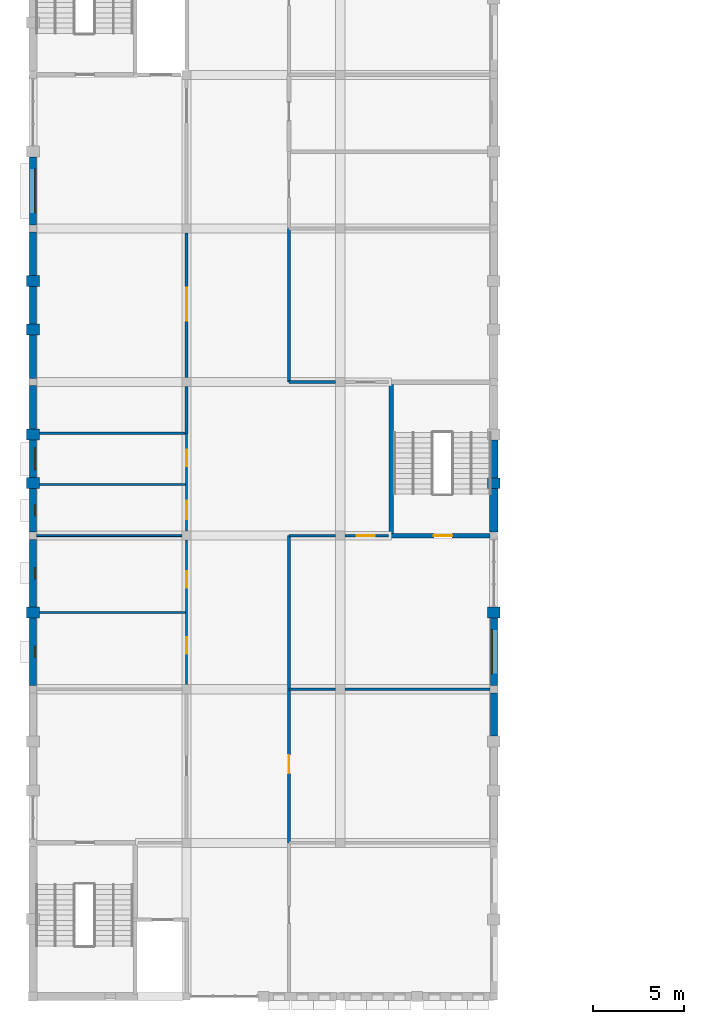
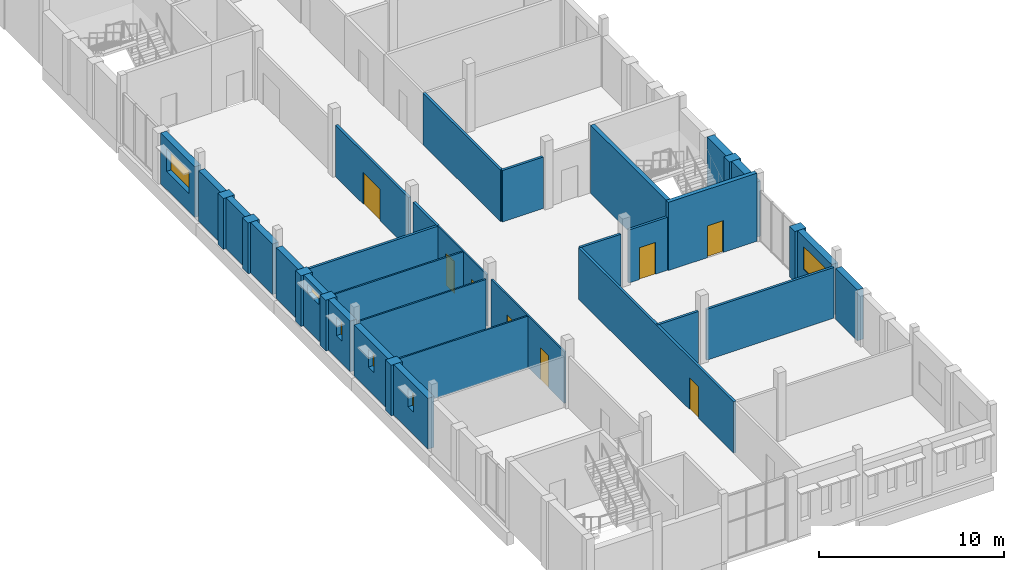
# One storey, part 24 of 38: 37 walls, 8 doors, 6 windows, 14 openings.
"""IFC4 building model written with IfcOpenShell, lengths in metres."""

import ifcopenshell
import ifcopenshell.guid

model = None  # the IFC model being written
_history = None  # IfcOwnerHistory: only IFC2X3 demands one
_inside = {}  # id of a spatial element -> (the spatial element, [elements in it])
_under = {}  # id of a project, library or spatial element -> (it, [spatial elements below it])
_declared = {}  # id of a project -> (the project, [libraries it declares])
_typed = {}  # id of a type object -> (the type object, [elements of that type])
_made_of = {}  # id of a material, layer set ... -> (it, [elements and type objects made of it])


def new_model(schema):
    """Start an empty IFC model of exactly this schema.

    Asked for "IFC4X3", IfcOpenShell would pick the latest addendum, in which some entities
    have other attributes; the version numbers below select the first issue.
    IFC2X3 requires an IfcOwnerHistory on every rooted entity: one is made here for all.
    """
    global model, _history
    if schema == "IFC4X3":
        model = ifcopenshell.file(schema_version=(4, 3, 0, 0))
    else:
        model = ifcopenshell.file(schema=schema)
    _inside.clear()
    _under.clear()
    _declared.clear()
    _typed.clear()
    _made_of.clear()
    _history = None
    if model.schema == "IFC2X3":
        org = make("IfcOrganization", Name="unknown")
        user = make(
            "IfcPersonAndOrganization",
            ThePerson=make("IfcPerson", FamilyName="unknown"),
            TheOrganization=org,
        )
        app = make(
            "IfcApplication",
            ApplicationDeveloper=org,
            Version="unknown",
            ApplicationFullName="unknown",
            ApplicationIdentifier="unknown",
        )
        _history = make(
            "IfcOwnerHistory",
            OwningUser=user,
            OwningApplication=app,
            ChangeAction="ADDED",
            CreationDate=0,
        )
    return model


def make(cls, **values):
    """One entity of the class cls with the attributes given. An attribute that is None is left unset."""
    return model.create_entity(
        cls, **{name: value for name, value in values.items() if value is not None}
    )


def rooted(cls, **values):
    """An entity with a GlobalId (a new one), such as an element, a storey or a relation."""
    return make(cls, GlobalId=ifcopenshell.guid.new(), OwnerHistory=_history, **values)


def si_unit(unit_type, name, prefix=None):
    """IfcSIUnit, for example si_unit("LENGTHUNIT", "METRE", prefix="MILLI")."""
    return make("IfcSIUnit", UnitType=unit_type, Prefix=prefix, Name=name)


def assignment(units):
    """IfcUnitAssignment: the units of a project."""
    return None if units is None else make("IfcUnitAssignment", Units=units)


def point(xyz):
    """IfcCartesianPoint."""
    return None if xyz is None else make("IfcCartesianPoint", Coordinates=xyz)


def direction(xyz):
    """IfcDirection."""
    return None if xyz is None else make("IfcDirection", DirectionRatios=xyz)


def frame(location, z_axis=None, x_axis=None):
    """IfcAxis2Placement3D, a coordinate frame: its origin and axes. An axis left out is left unset."""
    return make(
        "IfcAxis2Placement3D",
        Location=point(location),
        Axis=direction(z_axis),
        RefDirection=direction(x_axis),
    )


def frame_2d(location, x_axis=None):
    """IfcAxis2Placement2D, a coordinate frame in the plane: its origin and x axis."""
    return make(
        "IfcAxis2Placement2D", Location=point(location), RefDirection=direction(x_axis)
    )


def origin():
    """The frame at (0, 0, 0) with its axes left unset."""
    return frame((0.0, 0.0, 0.0))


def place(relative_to, where):
    """IfcLocalPlacement: puts the frame where relative to a parent placement (None: the world)."""
    return make(
        "IfcLocalPlacement", PlacementRelTo=relative_to, RelativePlacement=where
    )


def context(
    kind, dimensions, precision=None, world=None, true_north=None, identifier=None
):
    """IfcGeometricRepresentationContext, for example the 3D "Model" context."""
    return make(
        "IfcGeometricRepresentationContext",
        ContextIdentifier=identifier,
        ContextType=kind,
        CoordinateSpaceDimension=dimensions,
        Precision=precision,
        WorldCoordinateSystem=world,
        TrueNorth=true_north,
    )


def subcontext(parent, identifier, kind, view, scale=None):
    """IfcGeometricRepresentationSubContext, for example "Body" below "Model"."""
    return make(
        "IfcGeometricRepresentationSubContext",
        ContextIdentifier=identifier,
        ContextType=kind,
        ParentContext=parent,
        TargetScale=scale,
        TargetView=view,
    )


def project(units=None, contexts=None):
    """IfcProject with its units and contexts."""
    return rooted(
        "IfcProject",
        Name="project",
        RepresentationContexts=contexts,
        UnitsInContext=assignment(units),
    )


def spatial(cls, under=None, at=None, **own):
    """A site, building, storey or space (cls), placed at a placement, below another one or the project."""
    s = rooted(cls, ObjectPlacement=at, **own)
    if under is not None:
        _under.setdefault(under.id(), (under, []))[1].append(s)
    return s


def profile(cls, at=None, kind="AREA", **sizes):
    """A parametric profile (cls). Its sizes go by their IFC names, for example OverallWidth=200.0."""
    return make(cls, ProfileType=kind, Position=at, **sizes)


def rectangle(**sizes):
    """IfcRectangleProfileDef."""
    return profile("IfcRectangleProfileDef", **sizes)


def extrude(swept, where, along, depth):
    """IfcExtrudedAreaSolid: the profile swept, set in the frame where, extruded along a direction by depth."""
    return make(
        "IfcExtrudedAreaSolid",
        SweptArea=swept,
        Position=where,
        ExtrudedDirection=direction(along),
        Depth=depth,
    )


def shape(context_of_items, identifier, shape_type, items):
    """IfcShapeRepresentation: the items that make up one representation, for example the "Body"."""
    return make(
        "IfcShapeRepresentation",
        ContextOfItems=context_of_items,
        RepresentationIdentifier=identifier,
        RepresentationType=shape_type,
        Items=items,
    )


def material(Name=None, Category=None):
    """IfcMaterial."""
    return make("IfcMaterial", Name=Name, Category=Category)


def layer(
    of_material, thickness, ventilated=None, Name=None, Category=None, Priority=None
):
    """IfcMaterialLayer: one layer of a wall or slab, of a material (None: an air gap)."""
    return make(
        "IfcMaterialLayer",
        Material=of_material,
        LayerThickness=thickness,
        IsVentilated=ventilated,
        Name=Name,
        Category=Category,
        Priority=Priority,
    )


def layer_set(layers, Name=None):
    """IfcMaterialLayerSet."""
    return make("IfcMaterialLayerSet", MaterialLayers=layers, LayerSetName=Name)


def made_of(thing, what):
    """Note that an element or type object is made of a material, layer set ...; save() writes the relation."""
    if what is not None:
        _made_of.setdefault(what.id(), (what, []))[1].append(thing)
    return thing


def type_object(cls, material=None, **own):
    """A type object (cls), such as IfcWallType, which elements share."""
    return made_of(rooted(cls, **own), material)


def element(
    cls,
    number,
    at=None,
    inside=None,
    cuts=None,
    type_object=None,
    material=None,
    context=None,
    identifier="Body",
    shape_type=None,
    held_by="IfcProductDefinitionShape",
    body=None,
    shapes=None,
    **own,
):
    """One element of the class cls, such as IfcWall. Its Tag is "e" and its number.

    at: its placement. inside: the storey or other place that contains it. cuts: it is an
    opening in that element (IfcRelVoidsElement). A single representation is given by context,
    identifier, shape_type and body (its items); several are given by shapes. held_by: the class
    of the entity that holds the representations. save() writes the other relations.
    """
    e = rooted(cls, Tag="e%d" % number, ObjectPlacement=at, **own)
    if body is not None:
        shapes = [shape(context, identifier, shape_type, body)]
    if shapes is not None:
        e.Representation = make(held_by, Representations=shapes)
    if inside is not None:
        _inside.setdefault(inside.id(), (inside, []))[1].append(e)
    if cuts is not None:
        rooted(
            "IfcRelVoidsElement", RelatingBuildingElement=cuts, RelatedOpeningElement=e
        )
    if type_object is not None:
        _typed.setdefault(type_object.id(), (type_object, []))[1].append(e)
    return made_of(e, material)


def fill(opening, filler):
    """IfcRelFillsElement: the door or window that sits in an opening."""
    return rooted(
        "IfcRelFillsElement",
        RelatingOpeningElement=opening,
        RelatedBuildingElement=filler,
    )


def aggregate(whole, parts):
    """IfcRelAggregates: a whole, such as a stair, and the parts it consists of."""
    return rooted("IfcRelAggregates", RelatingObject=whole, RelatedObjects=parts)


def save(model, path):
    """Write the relations noted so far, then the file.

    IfcRelAggregates (storeys below a building ...), IfcRelContainedInSpatialStructure (elements
    in a storey), IfcRelDefinesByType, IfcRelAssociatesMaterial and IfcRelDeclares: one each for
    every whole, place, type object, material and project.
    """
    for whole, parts in _under.values():
        aggregate(whole, parts)
    for where, things in _inside.values():
        rooted(
            "IfcRelContainedInSpatialStructure",
            RelatedElements=things,
            RelatingStructure=where,
        )
    for kind, things in _typed.values():
        rooted("IfcRelDefinesByType", RelatedObjects=things, RelatingType=kind)
    for what, things in _made_of.values():
        rooted("IfcRelAssociatesMaterial", RelatedObjects=things, RelatingMaterial=what)
    for by, libraries in _declared.values():
        rooted("IfcRelDeclares", RelatingContext=by, RelatedDefinitions=libraries)
    model.write(path)


model = new_model("IFC4")

# Units and contexts
model_context = context("Model", 3, precision=1e-05, world=origin(), true_north=direction((0.0, 1.0)))
body_context = subcontext(model_context, "Body", "Model", "MODEL_VIEW")
ifc_project = project(units=[si_unit("LENGTHUNIT", "METRE"), si_unit("AREAUNIT", "SQUARE_METRE"), si_unit("VOLUMEUNIT", "CUBIC_METRE"), si_unit("PLANEANGLEUNIT", "RADIAN"), si_unit("MASSUNIT", "GRAM", prefix="KILO")], contexts=[model_context])

# Site, building, storey
site_placement = place(None, origin())
site = spatial("IfcSite", under=ifc_project, at=site_placement, CompositionType="ELEMENT")
building_placement = place(site_placement, origin())
building = spatial("IfcBuilding", under=site, at=building_placement, Name="Fescue Hill Polytechnic", CompositionType="ELEMENT")
storey_placement = place(building_placement, frame((0.0, 0.0, 18.0)))
storey = spatial("IfcBuildingStorey", under=building, at=storey_placement, Name="L04", CompositionType="ELEMENT", Elevation=18.0)

# Wall, opening, door
ifc_material_1 = material(Name="Concrete 40 MPa", Category="concrete")
ifc_layer_1 = layer(ifc_material_1, 0.25)
ifc_layer_set_1 = layer_set([ifc_layer_1], Name="Concrete 40 MPa")
wall_type_1 = type_object("IfcWallType", Name="Core wall 250", PredefinedType="SHEAR", material=ifc_layer_set_1)
wall_1_placement = place(storey_placement, frame((19.47509765625, 75.60009765625, 0.0), z_axis=(0.0, 0.0, 1.0), x_axis=(1.0, 0.0, 0.0)))
wall_1 = element("IfcWall", 1, at=wall_1_placement, inside=storey, type_object=wall_type_1, Name="CW-L04-ST-V4-3-11", PredefinedType="SHEAR", context=body_context, shape_type="SweptSolid", body=[
    extrude(rectangle(XDim=5.52490234375, YDim=0.25, at=frame_2d((2.762451171875, 0.0))), origin(), (0.0, 0.0, 1.0), 4.5),
])
opening_1_placement = place(wall_1_placement, frame((2.449951171875, 0.0, 0.0)))
opening_1 = element("IfcOpeningElement", 2, at=opening_1_placement, cuts=wall_1, Name="Opening D4038", PredefinedType="OPENING", context=body_context, shape_type="SweptSolid", body=[
    extrude(rectangle(XDim=1.0, YDim=2.10009765625, at=frame_2d((0.5, 1.050048828125))), frame((0.0, 0.135009765625, 0.0), z_axis=(0.0, -1.0, 0.0), x_axis=(1.0, 0.0, 0.0)), (0.0, 0.0, 1.0), 0.27001953125),
])
ifc_material_2 = material(Name="Steel fire door", Category="steel")
door_type_1 = type_object("IfcDoorType", Name="Door single swing 1000x2100 stair fire rated", OperationType="NOTDEFINED", PredefinedType="DOOR", material=ifc_material_2)
door_1_placement = place(opening_1_placement, origin())
door_1 = element("IfcDoor", 3, at=door_1_placement, inside=storey, type_object=door_type_1, Name="L04 ST-V4-3 stair door", OperationType="SINGLE_SWING_LEFT", OverallHeight=2.10009765625, OverallWidth=1.0, PredefinedType="DOOR", context=body_context, shape_type="SweptSolid", body=[
    extrude(rectangle(XDim=1.0, YDim=2.10009765625, at=frame_2d((0.5, 1.050048828125))), frame((0.0, 0.02490234375, 0.0), z_axis=(0.0, -1.0, 0.0), x_axis=(1.0, 0.0, 0.0)), (0.0, 0.0, 1.0), 0.050048828125),
])
fill(opening_1, door_1)

# Walls
wall_2_placement = place(storey_placement, frame((19.60009765625, 75.72509765625, 0.0), z_axis=(0.0, 0.0, 1.0), x_axis=(0.0, 1.0, 0.0)))
element("IfcWall", 4, at=wall_2_placement, inside=storey, type_object=wall_type_1, Name="CW-L04-ST-V4-3-31", PredefinedType="SHEAR", context=body_context, shape_type="SweptSolid", body=[
    extrude(rectangle(XDim=8.14990234375, YDim=0.25, at=frame_2d((4.074951171875, 0.0))), origin(), (0.0, 0.0, 1.0), 4.5),
])
ifc_layer_2 = layer(ifc_material_1, 0.449951171875)
ifc_layer_set_2 = layer_set([ifc_layer_2], Name="Concrete 40 MPa")
wall_type_2 = type_object("IfcWallType", Name="Exterior wall board-marked concrete 450 load-bearing", PredefinedType="SOLIDWALL", material=ifc_layer_set_2)
wall_3_placement = place(storey_placement, frame((25.199951171875, 75.800048828125, 0.0), z_axis=(0.0, 0.0, 1.0), x_axis=(0.0, 1.0, 0.0)))
element("IfcWall", 5, at=wall_3_placement, inside=storey, type_object=wall_type_2, Name="EW-L04-V4-8", PredefinedType="SOLIDWALL", context=body_context, shape_type="SweptSolid", body=[
    extrude(rectangle(XDim=2.36669921875, YDim=0.449951171875, at=frame_2d((1.183349609375, 0.0))), origin(), (0.0, 0.0, 1.0), 3.64990234375),
])
wall_4_placement = place(storey_placement, frame((25.199951171875, 78.7666015625, 0.0), z_axis=(0.0, 0.0, 1.0), x_axis=(0.0, 1.0, 0.0)))
element("IfcWall", 6, at=wall_4_placement, inside=storey, type_object=wall_type_2, Name="EW-L04-V4-9", PredefinedType="SOLIDWALL", context=body_context, shape_type="SweptSolid", body=[
    extrude(rectangle(XDim=2.066650390625, YDim=0.449951171875, at=frame_2d((1.033203125, 0.0))), origin(), (0.0, 0.0, 1.0), 3.64990234375),
])
ifc_material_3 = material(Name="Terracotta rainscreen on concrete block", Category="masonry")
ifc_layer_3 = layer(ifc_material_3, 0.3798828125)
ifc_layer_set_3 = layer_set([ifc_layer_3], Name="Terracotta rainscreen on concrete block")
wall_type_3 = type_object("IfcWallType", Name="Exterior wall rainscreen terracotta on blockwork 380", PredefinedType="SOLIDWALL", material=ifc_layer_set_3)
wall_5_placement = place(storey_placement, frame((25.199951171875, 64.63330078125, 0.0), z_axis=(0.0, 0.0, 1.0), x_axis=(0.0, 1.0, 0.0)))
element("IfcWall", 7, at=wall_5_placement, inside=storey, type_object=wall_type_3, Name="EW-L04-V4-5", PredefinedType="SOLIDWALL", context=body_context, shape_type="SweptSolid", body=[
    extrude(rectangle(XDim=2.36669921875, YDim=0.3798828125, at=frame_2d((1.183349609375, 0.0))), origin(), (0.0, 0.0, 1.0), 3.35009765625),
])

# Wall, opening, window
wall_6_placement = place(storey_placement, frame((25.199951171875, 67.39990234375, 0.0), z_axis=(0.0, 0.0, 1.0), x_axis=(0.0, 1.0, 0.0)))
wall_6 = element("IfcWall", 8, at=wall_6_placement, inside=storey, type_object=wall_type_3, Name="EW-L04-V4-6", PredefinedType="SOLIDWALL", context=body_context, shape_type="SweptSolid", body=[
    extrude(rectangle(XDim=3.7001953125, YDim=0.3798828125, at=frame_2d((1.85009765625, 0.0))), origin(), (0.0, 0.0, 1.0), 3.35009765625),
])
opening_2_placement = place(wall_6_placement, frame((0.64990234375, 0.0, 1.199951171875)))
opening_2 = element("IfcOpeningElement", 9, at=opening_2_placement, cuts=wall_6, Name="Opening W3", PredefinedType="OPENING", context=body_context, shape_type="SweptSolid", body=[
    extrude(rectangle(XDim=2.39990234375, YDim=1.5, at=frame_2d((1.199951171875, 0.75))), frame((0.0, 0.199951171875, 0.0), z_axis=(0.0, -1.0, 0.0), x_axis=(1.0, 0.0, 0.0)), (0.0, 0.0, 1.0), 0.39990234375),
])
ifc_material_4 = material(Name="Powder-coated aluminium and glass", Category="aluminium")
window_type_1 = type_object("IfcWindowType", Name="Window laboratory strip 2400x1500", PartitioningType="TRIPLE_PANEL_VERTICAL", PredefinedType="WINDOW", material=ifc_material_4)
window_1_placement = place(opening_2_placement, origin())
window_1 = element("IfcWindow", 10, at=window_1_placement, inside=storey, type_object=window_type_1, Name="WN-L04-V4-3", OverallHeight=1.5, OverallWidth=2.39990234375, PartitioningType="SINGLE_PANEL", PredefinedType="WINDOW", context=body_context, shape_type="SweptSolid", body=[
    extrude(rectangle(XDim=2.39990234375, YDim=1.5, at=frame_2d((1.199951171875, 0.75))), frame((0.0, 0.150146484375, 0.0), z_axis=(0.0, -1.0, 0.0), x_axis=(1.0, 0.0, 0.0)), (0.0, 0.0, 1.0), 0.06005859375),
])
fill(opening_2, window_1)

wall_7_placement = place(storey_placement, frame((0.0, 96.300048828125, 0.0), z_axis=(0.0, 0.0, 1.0), x_axis=(0.0, -1.0, 0.0)))
wall_7 = element("IfcWall", 11, at=wall_7_placement, inside=storey, type_object=wall_type_3, Name="EW-L04-V4-22", PredefinedType="SOLIDWALL", context=body_context, shape_type="SweptSolid", body=[
    extrude(rectangle(XDim=3.699951171875, YDim=0.3798828125, at=frame_2d((1.85009765625, 0.0))), origin(), (0.0, 0.0, 1.0), 3.35009765625),
])
opening_3_placement = place(wall_7_placement, frame((0.64990234375, 0.0, 1.199951171875)))
opening_3 = element("IfcOpeningElement", 12, at=opening_3_placement, cuts=wall_7, Name="Opening W3", PredefinedType="OPENING", context=body_context, shape_type="SweptSolid", body=[
    extrude(rectangle(XDim=2.39990234375, YDim=1.5, at=frame_2d((1.199951171875, 0.75))), frame((0.0, 0.199951171875, 0.0), z_axis=(0.0, -1.0, 0.0), x_axis=(1.0, 0.0, 0.0)), (0.0, 0.0, 1.0), 0.39990234375),
])
window_2_placement = place(opening_3_placement, origin())
window_2 = element("IfcWindow", 13, at=window_2_placement, inside=storey, type_object=window_type_1, Name="WN-L04-V4-8", OverallHeight=1.5, OverallWidth=2.39990234375, PartitioningType="SINGLE_PANEL", PredefinedType="WINDOW", context=body_context, shape_type="SweptSolid", body=[
    extrude(rectangle(XDim=2.39990234375, YDim=1.5, at=frame_2d((1.199951171875, 0.75))), frame((0.0, 0.150146484375, 0.0), z_axis=(0.0, -1.0, 0.0), x_axis=(1.0, 0.0, 0.0)), (0.0, 0.0, 1.0), 0.06005859375),
])
fill(opening_3, window_2)

# Walls
wall_8_placement = place(storey_placement, frame((0.0, 92.199951171875, 0.0), z_axis=(0.0, 0.0, 1.0), x_axis=(0.0, -1.0, 0.0)))
element("IfcWall", 14, at=wall_8_placement, inside=storey, type_object=wall_type_3, Name="EW-L04-V4-23", PredefinedType="SOLIDWALL", context=body_context, shape_type="SweptSolid", body=[
    extrude(rectangle(XDim=2.36669921875, YDim=0.3798828125, at=frame_2d((1.183349609375, 0.0))), origin(), (0.0, 0.0, 1.0), 3.35009765625),
])
wall_9_placement = place(storey_placement, frame((0.0, 89.2333984375, 0.0), z_axis=(0.0, 0.0, 1.0), x_axis=(0.0, -1.0, 0.0)))
element("IfcWall", 15, at=wall_9_placement, inside=storey, type_object=wall_type_3, Name="EW-L04-V4-24", PredefinedType="SOLIDWALL", context=body_context, shape_type="SweptSolid", body=[
    extrude(rectangle(XDim=2.066650390625, YDim=0.3798828125, at=frame_2d((1.033203125, 0.0))), origin(), (0.0, 0.0, 1.0), 3.35009765625),
])
for number, where, z_axis, x_axis, name in (
    (16, (0.0, 86.566650390625, 0.0), (0.0, 0.0, 1.0), (0.0, -1.0, 0.0), "EW-L04-V4-25"),
    (17, (0.0, 83.800048828125, 0.0), (0.0, 0.0, 1.0), (0.0, -1.0, 0.0), "EW-L04-V4-26"),
):
    element("IfcWall", number, at=place(storey_placement, frame(where, z_axis=z_axis, x_axis=x_axis)), inside=storey, type_object=wall_type_3, Name=name, PredefinedType="SOLIDWALL", context=body_context, shape_type="SweptSolid", body=[
        extrude(rectangle(XDim=2.36669921875, YDim=0.3798828125, at=frame_2d((1.183349609375, 0.0))), origin(), (0.0, 0.0, 1.0), 3.35009765625),
    ])

# Wall, opening, window
wall_10_placement = place(storey_placement, frame((0.0, 80.833251953125, 0.0), z_axis=(0.0, 0.0, 1.0), x_axis=(0.0, -1.0, 0.0)))
wall_10 = element("IfcWall", 18, at=wall_10_placement, inside=storey, type_object=wall_type_3, Name="EW-L04-V4-27", PredefinedType="SOLIDWALL", context=body_context, shape_type="SweptSolid", body=[
    extrude(rectangle(XDim=2.066650390625, YDim=0.3798828125, at=frame_2d((1.033203125, 0.0))), origin(), (0.0, 0.0, 1.0), 3.35009765625),
])
opening_4_placement = place(wall_10_placement, frame((0.433349609375, 0.0, 2.39990234375)))
opening_4 = element("IfcOpeningElement", 19, at=opening_4_placement, cuts=wall_10, Name="Opening W12", PredefinedType="OPENING", context=body_context, shape_type="SweptSolid", body=[
    extrude(rectangle(XDim=1.199951171875, YDim=0.60009765625, at=frame_2d((0.60009765625, 0.300048828125))), frame((0.0, 0.199951171875, 0.0), z_axis=(0.0, -1.0, 0.0), x_axis=(1.0, 0.0, 0.0)), (0.0, 0.0, 1.0), 0.39990234375),
])
window_type_2 = type_object("IfcWindowType", Name="Window plant and store high-level 1200x600", PartitioningType="SINGLE_PANEL", PredefinedType="WINDOW", material=ifc_material_4)
window_3_placement = place(opening_4_placement, origin())
window_3 = element("IfcWindow", 20, at=window_3_placement, inside=storey, type_object=window_type_2, Name="WN-L04-V4-9", OverallHeight=0.60009765625, OverallWidth=1.199951171875, PartitioningType="SINGLE_PANEL", PredefinedType="WINDOW", context=body_context, shape_type="SweptSolid", body=[
    extrude(rectangle(XDim=1.199951171875, YDim=0.60009765625, at=frame_2d((0.60009765625, 0.300048828125))), frame((0.0, 0.150146484375, 0.0), z_axis=(0.0, -1.0, 0.0), x_axis=(1.0, 0.0, 0.0)), (0.0, 0.0, 1.0), 0.06005859375),
])
fill(opening_4, window_3)

wall_11_placement = place(storey_placement, frame((0.0, 78.166748046875, 0.0), z_axis=(0.0, 0.0, 1.0), x_axis=(0.0, -1.0, 0.0)))
wall_11 = element("IfcWall", 21, at=wall_11_placement, inside=storey, type_object=wall_type_3, Name="EW-L04-V4-28", PredefinedType="SOLIDWALL", context=body_context, shape_type="SweptSolid", body=[
    extrude(rectangle(XDim=2.36669921875, YDim=0.3798828125, at=frame_2d((1.183349609375, 0.0))), origin(), (0.0, 0.0, 1.0), 3.35009765625),
])
opening_5_placement = place(wall_11_placement, frame((0.88330078125, 0.0, 1.5)))
opening_5 = element("IfcOpeningElement", 22, at=opening_5_placement, cuts=wall_11, Name="Opening W11", PredefinedType="OPENING", context=body_context, shape_type="SweptSolid", body=[
    extrude(rectangle(XDim=0.60009765625, YDim=1.199951171875, at=frame_2d((0.300048828125, 0.60009765625))), frame((0.0, 0.199951171875, 0.0), z_axis=(0.0, -1.0, 0.0), x_axis=(1.0, 0.0, 0.0)), (0.0, 0.0, 1.0), 0.39990234375),
])
window_type_3 = type_object("IfcWindowType", Name="Window WC high-level 600x1200", PartitioningType="SINGLE_PANEL", PredefinedType="WINDOW", material=ifc_material_4)
window_4_placement = place(opening_5_placement, origin())
window_4 = element("IfcWindow", 23, at=window_4_placement, inside=storey, type_object=window_type_3, Name="WN-L04-V4-10", OverallHeight=1.199951171875, OverallWidth=0.60009765625, PartitioningType="SINGLE_PANEL", PredefinedType="WINDOW", context=body_context, shape_type="SweptSolid", body=[
    extrude(rectangle(XDim=0.60009765625, YDim=1.199951171875, at=frame_2d((0.300048828125, 0.60009765625))), frame((0.0, 0.150146484375, 0.0), z_axis=(0.0, -1.0, 0.0), x_axis=(1.0, 0.0, 0.0)), (0.0, 0.0, 1.0), 0.06005859375),
])
fill(opening_5, window_4)

wall_12_placement = place(storey_placement, frame((0.0, 75.39990234375, 0.0), z_axis=(0.0, 0.0, 1.0), x_axis=(0.0, -1.0, 0.0)))
wall_12 = element("IfcWall", 24, at=wall_12_placement, inside=storey, type_object=wall_type_3, Name="EW-L04-V4-29", PredefinedType="SOLIDWALL", context=body_context, shape_type="SweptSolid", body=[
    extrude(rectangle(XDim=3.699951171875, YDim=0.3798828125, at=frame_2d((1.85009765625, 0.0))), origin(), (0.0, 0.0, 1.0), 3.35009765625),
])
opening_6_placement = place(wall_12_placement, frame((1.550048828125, 0.0, 1.5)))
opening_6 = element("IfcOpeningElement", 25, at=opening_6_placement, cuts=wall_12, Name="Opening W11", PredefinedType="OPENING", context=body_context, shape_type="SweptSolid", body=[
    extrude(rectangle(XDim=0.60009765625, YDim=1.199951171875, at=frame_2d((0.300048828125, 0.60009765625))), frame((0.0, 0.199951171875, 0.0), z_axis=(0.0, -1.0, 0.0), x_axis=(1.0, 0.0, 0.0)), (0.0, 0.0, 1.0), 0.39990234375),
])
window_5_placement = place(opening_6_placement, origin())
window_5 = element("IfcWindow", 26, at=window_5_placement, inside=storey, type_object=window_type_3, Name="WN-L04-V4-11", OverallHeight=1.199951171875, OverallWidth=0.60009765625, PartitioningType="SINGLE_PANEL", PredefinedType="WINDOW", context=body_context, shape_type="SweptSolid", body=[
    extrude(rectangle(XDim=0.60009765625, YDim=1.199951171875, at=frame_2d((0.300048828125, 0.60009765625))), frame((0.0, 0.150146484375, 0.0), z_axis=(0.0, -1.0, 0.0), x_axis=(1.0, 0.0, 0.0)), (0.0, 0.0, 1.0), 0.06005859375),
])
fill(opening_6, window_5)

wall_13_placement = place(storey_placement, frame((0.0, 71.10009765625, 0.0), z_axis=(0.0, 0.0, 1.0), x_axis=(0.0, -1.0, 0.0)))
wall_13 = element("IfcWall", 27, at=wall_13_placement, inside=storey, type_object=wall_type_3, Name="EW-L04-V4-30", PredefinedType="SOLIDWALL", context=body_context, shape_type="SweptSolid", body=[
    extrude(rectangle(XDim=3.7001953125, YDim=0.3798828125, at=frame_2d((1.85009765625, 0.0))), origin(), (0.0, 0.0, 1.0), 3.35009765625),
])
opening_7_placement = place(wall_13_placement, frame((1.550048828125, 0.0, 1.5)))
opening_7 = element("IfcOpeningElement", 28, at=opening_7_placement, cuts=wall_13, Name="Opening W11", PredefinedType="OPENING", context=body_context, shape_type="SweptSolid", body=[
    extrude(rectangle(XDim=0.60009765625, YDim=1.199951171875, at=frame_2d((0.300048828125, 0.60009765625))), frame((0.0, 0.199951171875, 0.0), z_axis=(0.0, -1.0, 0.0), x_axis=(1.0, 0.0, 0.0)), (0.0, 0.0, 1.0), 0.39990234375),
])
window_6_placement = place(opening_7_placement, origin())
window_6 = element("IfcWindow", 29, at=window_6_placement, inside=storey, type_object=window_type_3, Name="WN-L04-V4-12", OverallHeight=1.199951171875, OverallWidth=0.60009765625, PartitioningType="SINGLE_PANEL", PredefinedType="WINDOW", context=body_context, shape_type="SweptSolid", body=[
    extrude(rectangle(XDim=0.60009765625, YDim=1.199951171875, at=frame_2d((0.300048828125, 0.60009765625))), frame((0.0, 0.150146484375, 0.0), z_axis=(0.0, -1.0, 0.0), x_axis=(1.0, 0.0, 0.0)), (0.0, 0.0, 1.0), 0.06005859375),
])
fill(opening_7, window_6)

# Walls
ifc_layer_4 = layer(ifc_material_1, 0.699951171875)
ifc_layer_set_4 = layer_set([ifc_layer_4], Name="Concrete 40 MPa")
wall_type_4 = type_object("IfcWallType", Name="Fin wall board-marked 600x700", PredefinedType="SOLIDWALL", material=ifc_layer_set_4)
wall_14_placement = place(storey_placement, frame((25.199951171875, 71.10009765625, 0.0), z_axis=(0.0, 0.0, 1.0), x_axis=(0.0, 1.0, 0.0)))
element("IfcWall", 30, at=wall_14_placement, inside=storey, type_object=wall_type_4, Name="PR-L04-V4-4", PredefinedType="SOLIDWALL", context=body_context, shape_type="SweptSolid", body=[
    extrude(rectangle(XDim=0.599853515625, YDim=0.699951171875, at=frame_2d((0.2998046875, 0.0))), origin(), (0.0, 0.0, 1.0), 3.35009765625),
])
wall_15_placement = place(storey_placement, frame((25.199951171875, 78.166748046875, 0.0), z_axis=(0.0, 0.0, 1.0), x_axis=(0.0, 1.0, 0.0)))
element("IfcWall", 31, at=wall_15_placement, inside=storey, type_object=wall_type_4, Name="PR-L04-V4-5", PredefinedType="SOLIDWALL", context=body_context, shape_type="SweptSolid", body=[
    extrude(rectangle(XDim=0.599853515625, YDim=0.699951171875, at=frame_2d((0.2998046875, 0.0))), origin(), (0.0, 0.0, 1.0), 3.64990234375),
])
wall_16_placement = place(storey_placement, frame((0.0, 89.833251953125, 0.0), z_axis=(0.0, 0.0, 1.0), x_axis=(0.0, -1.0, 0.0)))
element("IfcWall", 32, at=wall_16_placement, inside=storey, type_object=wall_type_4, Name="PR-L04-V4-14", PredefinedType="SOLIDWALL", context=body_context, shape_type="SweptSolid", body=[
    extrude(rectangle(XDim=0.599853515625, YDim=0.699951171875, at=frame_2d((0.2998046875, 0.0))), origin(), (0.0, 0.0, 1.0), 3.35009765625),
])
for number, where, z_axis, x_axis, name in (
    (33, (0.0, 87.166748046875, 0.0), (0.0, 0.0, 1.0), (0.0, -1.0, 0.0), "PR-L04-V4-15"),
    (34, (0.0, 81.433349609375, 0.0), (0.0, 0.0, 1.0), (0.0, -1.0, 0.0), "PR-L04-V4-16"),
):
    element("IfcWall", number, at=place(storey_placement, frame(where, z_axis=z_axis, x_axis=x_axis)), inside=storey, type_object=wall_type_4, Name=name, PredefinedType="SOLIDWALL", context=body_context, shape_type="SweptSolid", body=[
        extrude(rectangle(XDim=0.60009765625, YDim=0.699951171875, at=frame_2d((0.300048828125, 0.0))), origin(), (0.0, 0.0, 1.0), 3.35009765625),
    ])
for number, where, z_axis, x_axis, name in (
    (35, (0.0, 78.7666015625, 0.0), (0.0, 0.0, 1.0), (0.0, -1.0, 0.0), "PR-L04-V4-17"),
    (36, (0.0, 71.699951171875, 0.0), (0.0, 0.0, 1.0), (0.0, -1.0, 0.0), "PR-L04-V4-18"),
):
    element("IfcWall", number, at=place(storey_placement, frame(where, z_axis=z_axis, x_axis=x_axis)), inside=storey, type_object=wall_type_4, Name=name, PredefinedType="SOLIDWALL", context=body_context, shape_type="SweptSolid", body=[
        extrude(rectangle(XDim=0.599853515625, YDim=0.699951171875, at=frame_2d((0.2998046875, 0.0))), origin(), (0.0, 0.0, 1.0), 3.35009765625),
    ])
ifc_material_5 = material(Name="Concrete masonry block 15 MPa", Category="masonry")
ifc_layer_5 = layer(ifc_material_5, 0.14990234375)
ifc_layer_set_5 = layer_set([ifc_layer_5], Name="Concrete masonry block 15 MPa")
wall_type_5 = type_object("IfcWallType", Name="Laboratory wall 150 block EI 60", PredefinedType="PARTITIONING", material=ifc_layer_set_5)
wall_17_placement = place(storey_placement, frame((14.0, 67.199951171875, 0.0), z_axis=(0.0, 0.0, 1.0), x_axis=(1.0, 0.0, 0.0)))
element("IfcWall", 37, at=wall_17_placement, inside=storey, type_object=wall_type_5, Name="IW-L04-005", PredefinedType="PARTITIONING", context=body_context, shape_type="SweptSolid", body=[
    extrude(rectangle(XDim=2.550048828125, YDim=0.14990234375, at=frame_2d((1.27490234375, 0.0))), origin(), (0.0, 0.0, 1.0), 3.39990234375),
])
wall_18_placement = place(storey_placement, frame((17.050048828125, 67.199951171875, 0.0), z_axis=(0.0, 0.0, 1.0), x_axis=(1.0, 0.0, 0.0)))
element("IfcWall", 38, at=wall_18_placement, inside=storey, type_object=wall_type_5, Name="IW-L04-006", PredefinedType="PARTITIONING", context=body_context, shape_type="SweptSolid", body=[
    extrude(rectangle(XDim=7.949951171875, YDim=0.14990234375, at=frame_2d((3.97509765625, 0.0))), origin(), (0.0, 0.0, 1.0), 3.35009765625),
])
wall_19_placement = place(storey_placement, frame((0.35009765625, 81.199951171875, 0.0), z_axis=(0.0, 0.0, 1.0), x_axis=(1.0, 0.0, 0.0)))
element("IfcWall", 39, at=wall_19_placement, inside=storey, type_object=wall_type_5, Name="IW-L04-012", PredefinedType="PARTITIONING", context=body_context, shape_type="SweptSolid", body=[
    extrude(rectangle(XDim=8.0498046875, YDim=0.14990234375, at=frame_2d((4.02490234375, 0.0))), origin(), (0.0, 0.0, 1.0), 3.39990234375),
])
wall_20_placement = place(storey_placement, frame((8.39990234375, 81.199951171875, 0.0), z_axis=(0.0, 0.0, 1.0), x_axis=(0.0, 1.0, 0.0)))
element("IfcWall", 40, at=wall_20_placement, inside=storey, type_object=wall_type_5, Name="IW-L04-038", PredefinedType="PARTITIONING", context=body_context, shape_type="SweptSolid", body=[
    extrude(rectangle(XDim=2.550048828125, YDim=0.14990234375, at=frame_2d((1.27490234375, 0.0))), origin(), (0.0, 0.0, 1.0), 3.39990234375),
])

# Wall, opening, door
wall_21_placement = place(storey_placement, frame((8.39990234375, 84.25, 0.0), z_axis=(0.0, 0.0, 1.0), x_axis=(0.0, 1.0, 0.0)))
wall_21 = element("IfcWall", 41, at=wall_21_placement, inside=storey, type_object=wall_type_5, Name="IW-L04-039", PredefinedType="PARTITIONING", context=body_context, shape_type="SweptSolid", body=[
    extrude(rectangle(XDim=7.89990234375, YDim=0.14990234375, at=frame_2d((3.949951171875, 0.0))), origin(), (0.0, 0.0, 1.0), 3.39990234375),
])
opening_8_placement = place(wall_21_placement, frame((3.10009765625, 0.0, 0.0)))
opening_8 = element("IfcOpeningElement", 42, at=opening_8_placement, cuts=wall_21, Name="Opening D4006", PredefinedType="OPENING", context=body_context, shape_type="SweptSolid", body=[
    extrude(rectangle(XDim=1.800048828125, YDim=2.10009765625, at=frame_2d((0.89990234375, 1.050048828125))), frame((0.0, 0.0849609375, 0.0), z_axis=(0.0, -1.0, 0.0), x_axis=(1.0, 0.0, 0.0)), (0.0, 0.0, 1.0), 0.169921875),
])
ifc_material_6 = material(Name="Steel", Category="steel")
door_type_2 = type_object("IfcDoorType", Name="Door double swing 1800x2100 FD60", OperationType="DOUBLE_DOOR_SINGLE_SWING", PredefinedType="DOOR", material=ifc_material_6)
door_2_placement = place(opening_8_placement, origin())
door_2 = element("IfcDoor", 43, at=door_2_placement, inside=storey, type_object=door_type_2, Name="Door D4006", OperationType="DOUBLE_DOOR_SINGLE_SWING", OverallHeight=2.10009765625, OverallWidth=1.800048828125, PredefinedType="DOOR", context=body_context, shape_type="SweptSolid", body=[
    extrude(rectangle(XDim=1.800048828125, YDim=2.10009765625, at=frame_2d((0.89990234375, 1.050048828125))), frame((0.0, 0.02490234375, 0.0), z_axis=(0.0, -1.0, 0.0), x_axis=(1.0, 0.0, 0.0)), (0.0, 0.0, 1.0), 0.050048828125),
])
fill(opening_8, door_2)

wall_22_placement = place(storey_placement, frame((14.0, 58.800048828125, 0.0), z_axis=(0.0, 0.0, 1.0), x_axis=(0.0, 1.0, 0.0)))
wall_22 = element("IfcWall", 44, at=wall_22_placement, inside=storey, type_object=wall_type_5, Name="IW-L04-047", PredefinedType="PARTITIONING", context=body_context, shape_type="SweptSolid", body=[
    extrude(rectangle(XDim=16.800048828125, YDim=0.14990234375, at=frame_2d((8.39990234375, 0.0))), origin(), (0.0, 0.0, 1.0), 3.39990234375),
])
opening_9_placement = place(wall_22_placement, frame((3.800048828125, 0.0, 0.0)))
opening_9 = element("IfcOpeningElement", 45, at=opening_9_placement, cuts=wall_22, Name="Opening D4009", PredefinedType="OPENING", context=body_context, shape_type="SweptSolid", body=[
    extrude(rectangle(XDim=1.0, YDim=2.10009765625, at=frame_2d((0.5, 1.050048828125))), frame((0.0, 0.0849609375, 0.0), z_axis=(0.0, -1.0, 0.0), x_axis=(1.0, 0.0, 0.0)), (0.0, 0.0, 1.0), 0.169921875),
])
door_type_3 = type_object("IfcDoorType", Name="Door single swing 1000x2100 FD60", OperationType="SINGLE_SWING_LEFT", PredefinedType="DOOR", material=ifc_material_6)
door_3_placement = place(opening_9_placement, origin())
door_3 = element("IfcDoor", 46, at=door_3_placement, inside=storey, type_object=door_type_3, Name="Door D4009", OperationType="SINGLE_SWING_LEFT", OverallHeight=2.10009765625, OverallWidth=1.0, PredefinedType="DOOR", context=body_context, shape_type="SweptSolid", body=[
    extrude(rectangle(XDim=1.0, YDim=2.10009765625, at=frame_2d((0.5, 1.050048828125))), frame((0.0, 0.02490234375, 0.0), z_axis=(0.0, -1.0, 0.0), x_axis=(1.0, 0.0, 0.0)), (0.0, 0.0, 1.0), 0.050048828125),
])
fill(opening_9, door_3)

# Walls
wall_23_placement = place(storey_placement, frame((14.0, 84.0, 0.0), z_axis=(0.0, 0.0, 1.0), x_axis=(0.0, 1.0, 0.0)))
element("IfcWall", 47, at=wall_23_placement, inside=storey, type_object=wall_type_5, Name="IW-L04-048", PredefinedType="PARTITIONING", context=body_context, shape_type="SweptSolid", body=[
    extrude(rectangle(XDim=8.39990234375, YDim=0.14990234375, at=frame_2d((4.199951171875, 0.0))), origin(), (0.0, 0.0, 1.0), 3.39990234375),
])
ifc_material_7 = material(Name="Gypsum board partition")
ifc_layer_6 = layer(ifc_material_7, 0.14990234375)
ifc_layer_set_6 = layer_set([ifc_layer_6], Name="Gypsum board partition")
wall_type_6 = type_object("IfcWallType", Name="Lobby wall 150 EI 60", PredefinedType="PARTITIONING", material=ifc_layer_set_6)
wall_24_placement = place(storey_placement, frame((14.0, 75.60009765625, 0.0), z_axis=(0.0, 0.0, 1.0), x_axis=(1.0, 0.0, 0.0)))
element("IfcWall", 48, at=wall_24_placement, inside=storey, type_object=wall_type_6, Name="IW-L04-008", PredefinedType="PARTITIONING", context=body_context, shape_type="SweptSolid", body=[
    extrude(rectangle(XDim=2.550048828125, YDim=0.14990234375, at=frame_2d((1.27490234375, 0.0))), origin(), (0.0, 0.0, 1.0), 3.39990234375),
])

# Wall, opening, door
wall_25_placement = place(storey_placement, frame((17.050048828125, 75.60009765625, 0.0), z_axis=(0.0, 0.0, 1.0), x_axis=(1.0, 0.0, 0.0)))
wall_25 = element("IfcWall", 49, at=wall_25_placement, inside=storey, type_object=wall_type_6, Name="IW-L04-009", PredefinedType="PARTITIONING", context=body_context, shape_type="SweptSolid", body=[
    extrude(rectangle(XDim=2.39990234375, YDim=0.14990234375, at=frame_2d((1.199951171875, 0.0))), origin(), (0.0, 0.0, 1.0), 3.5),
])
opening_10_placement = place(wall_25_placement, frame((0.64990234375, 0.0, 0.0)))
opening_10 = element("IfcOpeningElement", 50, at=opening_10_placement, cuts=wall_25, Name="Opening D4010", PredefinedType="OPENING", context=body_context, shape_type="SweptSolid", body=[
    extrude(rectangle(XDim=1.0, YDim=2.10009765625, at=frame_2d((0.5, 1.050048828125))), frame((0.0, 0.0849609375, 0.0), z_axis=(0.0, -1.0, 0.0), x_axis=(1.0, 0.0, 0.0)), (0.0, 0.0, 1.0), 0.169921875),
])
door_4_placement = place(opening_10_placement, origin())
door_4 = element("IfcDoor", 51, at=door_4_placement, inside=storey, type_object=door_type_3, Name="Door D4010", OperationType="SINGLE_SWING_LEFT", OverallHeight=2.10009765625, OverallWidth=1.0, PredefinedType="DOOR", context=body_context, shape_type="SweptSolid", body=[
    extrude(rectangle(XDim=1.0, YDim=2.10009765625, at=frame_2d((0.5, 1.050048828125))), frame((0.0, 0.02490234375, 0.0), z_axis=(0.0, -1.0, 0.0), x_axis=(1.0, 0.0, 0.0)), (0.0, 0.0, 1.0), 0.050048828125),
])
fill(opening_10, door_4)

# Walls
wall_26_placement = place(storey_placement, frame((14.0, 84.0, 0.0), z_axis=(0.0, 0.0, 1.0), x_axis=(1.0, 0.0, 0.0)))
element("IfcWall", 52, at=wall_26_placement, inside=storey, type_object=wall_type_6, Name="IW-L04-013", PredefinedType="PARTITIONING", context=body_context, shape_type="SweptSolid", body=[
    extrude(rectangle(XDim=2.550048828125, YDim=0.14990234375, at=frame_2d((1.27490234375, 0.0))), origin(), (0.0, 0.0, 1.0), 3.39990234375),
])
ifc_layer_7 = layer(ifc_material_7, 0.10009765625)
ifc_layer_set_7 = layer_set([ifc_layer_7], Name="Gypsum board partition")
wall_type_7 = type_object("IfcWallType", Name="WC partition 100 moisture resistant", PredefinedType="PARTITIONING", material=ifc_layer_set_7)
wall_27_placement = place(storey_placement, frame((0.35009765625, 71.39990234375, 0.0), z_axis=(0.0, 0.0, 1.0), x_axis=(1.0, 0.0, 0.0)))
element("IfcWall", 53, at=wall_27_placement, inside=storey, type_object=wall_type_7, Name="IW-L04-007", PredefinedType="PARTITIONING", context=body_context, shape_type="SweptSolid", body=[
    extrude(rectangle(XDim=8.0498046875, YDim=0.10009765625, at=frame_2d((4.02490234375, 0.0))), origin(), (0.0, 0.0, 1.0), 3.39990234375),
])
wall_28_placement = place(storey_placement, frame((0.199951171875, 75.60009765625, 0.0), z_axis=(0.0, 0.0, 1.0), x_axis=(1.0, 0.0, 0.0)))
element("IfcWall", 54, at=wall_28_placement, inside=storey, type_object=wall_type_7, Name="IW-L04-010", PredefinedType="PARTITIONING", context=body_context, shape_type="SweptSolid", body=[
    extrude(rectangle(XDim=7.949951171875, YDim=0.10009765625, at=frame_2d((3.97509765625, 0.0))), origin(), (0.0, 0.0, 1.0), 3.35009765625),
])
wall_29_placement = place(storey_placement, frame((0.35009765625, 78.39990234375, 0.0), z_axis=(0.0, 0.0, 1.0), x_axis=(1.0, 0.0, 0.0)))
element("IfcWall", 55, at=wall_29_placement, inside=storey, type_object=wall_type_7, Name="IW-L04-011", PredefinedType="PARTITIONING", context=body_context, shape_type="SweptSolid", body=[
    extrude(rectangle(XDim=8.0498046875, YDim=0.10009765625, at=frame_2d((4.02490234375, 0.0))), origin(), (0.0, 0.0, 1.0), 3.39990234375),
])

# Wall, openings, doors
wall_30_placement = place(storey_placement, frame((8.39990234375, 67.449951171875, 0.0), z_axis=(0.0, 0.0, 1.0), x_axis=(0.0, 1.0, 0.0)))
wall_30 = element("IfcWall", 56, at=wall_30_placement, inside=storey, type_object=wall_type_7, Name="IW-L04-043", PredefinedType="PARTITIONING", context=body_context, shape_type="SweptSolid", body=[
    extrude(rectangle(XDim=7.900146484375, YDim=0.10009765625, at=frame_2d((3.9501953125, 0.0))), origin(), (0.0, 0.0, 1.0), 3.39990234375),
])
opening_11_placement = place(wall_30_placement, frame((1.699951171875, 0.0, 0.0)))
opening_11 = element("IfcOpeningElement", 57, at=opening_11_placement, cuts=wall_30, Name="Opening D4002", PredefinedType="OPENING", context=body_context, shape_type="SweptSolid", body=[
    extrude(rectangle(XDim=0.89990234375, YDim=2.10009765625, at=frame_2d((0.449951171875, 1.050048828125))), frame((0.0, 0.06005859375, 0.0), z_axis=(0.0, -1.0, 0.0), x_axis=(1.0, 0.0, 0.0)), (0.0, 0.0, 1.0), 0.1201171875),
])
opening_12_placement = place(wall_30_placement, frame((5.300048828125, 0.0, 0.0)))
opening_12 = element("IfcOpeningElement", 58, at=opening_12_placement, cuts=wall_30, Name="Opening D4003", PredefinedType="OPENING", context=body_context, shape_type="SweptSolid", body=[
    extrude(rectangle(XDim=0.89990234375, YDim=2.10009765625, at=frame_2d((0.449951171875, 1.050048828125))), frame((0.0, 0.06005859375, 0.0), z_axis=(0.0, -1.0, 0.0), x_axis=(1.0, 0.0, 0.0)), (0.0, 0.0, 1.0), 0.1201171875),
])
ifc_material_8 = material(Name="Timber", Category="wood")
door_type_4 = type_object("IfcDoorType", Name="Door single swing 900x2100 WC", OperationType="SINGLE_SWING_LEFT", PredefinedType="DOOR", material=ifc_material_8)
door_5_placement = place(opening_11_placement, origin())
door_5 = element("IfcDoor", 59, at=door_5_placement, inside=storey, type_object=door_type_4, Name="Door D4002", OperationType="SINGLE_SWING_LEFT", OverallHeight=2.10009765625, OverallWidth=0.89990234375, PredefinedType="DOOR", context=body_context, shape_type="SweptSolid", body=[
    extrude(rectangle(XDim=0.89990234375, YDim=2.10009765625, at=frame_2d((0.449951171875, 1.050048828125))), frame((0.0, 0.02490234375, 0.0), z_axis=(0.0, -1.0, 0.0), x_axis=(1.0, 0.0, 0.0)), (0.0, 0.0, 1.0), 0.050048828125),
])
fill(opening_11, door_5)
door_6_placement = place(opening_12_placement, origin())
door_6 = element("IfcDoor", 60, at=door_6_placement, inside=storey, type_object=door_type_4, Name="Door D4003", OperationType="SINGLE_SWING_RIGHT", OverallHeight=2.10009765625, OverallWidth=0.89990234375, PredefinedType="DOOR", context=body_context, shape_type="SweptSolid", body=[
    extrude(rectangle(XDim=0.89990234375, YDim=2.10009765625, at=frame_2d((0.449951171875, 1.050048828125))), frame((0.0, 0.02490234375, 0.0), z_axis=(0.0, -1.0, 0.0), x_axis=(1.0, 0.0, 0.0)), (0.0, 0.0, 1.0), 0.050048828125),
])
fill(opening_12, door_6)

wall_31_placement = place(storey_placement, frame((8.39990234375, 75.85009765625, 0.0), z_axis=(0.0, 0.0, 1.0), x_axis=(0.0, 1.0, 0.0)))
wall_31 = element("IfcWall", 61, at=wall_31_placement, inside=storey, type_object=wall_type_7, Name="IW-L04-044", PredefinedType="PARTITIONING", context=body_context, shape_type="SweptSolid", body=[
    extrude(rectangle(XDim=5.349853515625, YDim=0.10009765625, at=frame_2d((2.6748046875, 0.0))), origin(), (0.0, 0.0, 1.0), 3.39990234375),
])
opening_13_placement = place(wall_31_placement, frame((0.64990234375, 0.0, 0.0)))
opening_13 = element("IfcOpeningElement", 62, at=opening_13_placement, cuts=wall_31, Name="Opening D4004", PredefinedType="OPENING", context=body_context, shape_type="SweptSolid", body=[
    extrude(rectangle(XDim=1.0, YDim=2.10009765625, at=frame_2d((0.5, 1.050048828125))), frame((0.0, 0.06005859375, 0.0), z_axis=(0.0, -1.0, 0.0), x_axis=(1.0, 0.0, 0.0)), (0.0, 0.0, 1.0), 0.1201171875),
])
opening_14_placement = place(wall_31_placement, frame((3.550048828125, 0.0, 0.0)))
opening_14 = element("IfcOpeningElement", 63, at=opening_14_placement, cuts=wall_31, Name="Opening D4005", PredefinedType="OPENING", context=body_context, shape_type="SweptSolid", body=[
    extrude(rectangle(XDim=0.89990234375, YDim=2.10009765625, at=frame_2d((0.449951171875, 1.050048828125))), frame((0.0, 0.06005859375, 0.0), z_axis=(0.0, -1.0, 0.0), x_axis=(1.0, 0.0, 0.0)), (0.0, 0.0, 1.0), 0.1201171875),
])
door_type_5 = type_object("IfcDoorType", Name="Door single swing 1000x2100 accessible WC", OperationType="SINGLE_SWING_LEFT", PredefinedType="DOOR", material=ifc_material_8)
door_7_placement = place(opening_13_placement, origin())
door_7 = element("IfcDoor", 64, at=door_7_placement, inside=storey, type_object=door_type_5, Name="Door D4004", OperationType="SINGLE_SWING_LEFT", OverallHeight=2.10009765625, OverallWidth=1.0, PredefinedType="DOOR", context=body_context, shape_type="SweptSolid", body=[
    extrude(rectangle(XDim=1.0, YDim=2.10009765625, at=frame_2d((0.5, 1.050048828125))), frame((0.0, 0.02490234375, 0.0), z_axis=(0.0, -1.0, 0.0), x_axis=(1.0, 0.0, 0.0)), (0.0, 0.0, 1.0), 0.050048828125),
])
fill(opening_13, door_7)
door_type_6 = type_object("IfcDoorType", Name="Door single swing 900x2100 store", OperationType="SINGLE_SWING_LEFT", PredefinedType="DOOR", material=ifc_material_8)
door_8_placement = place(opening_14_placement, origin())
door_8 = element("IfcDoor", 65, at=door_8_placement, inside=storey, type_object=door_type_6, Name="Door D4005", OperationType="SINGLE_SWING_RIGHT", OverallHeight=2.10009765625, OverallWidth=0.89990234375, PredefinedType="DOOR", context=body_context, shape_type="SweptSolid", body=[
    extrude(rectangle(XDim=0.89990234375, YDim=2.10009765625, at=frame_2d((0.449951171875, 1.050048828125))), frame((0.0, 0.02490234375, 0.0), z_axis=(0.0, -1.0, 0.0), x_axis=(1.0, 0.0, 0.0)), (0.0, 0.0, 1.0), 0.050048828125),
])
fill(opening_14, door_8)

save(model, "model.ifc")
